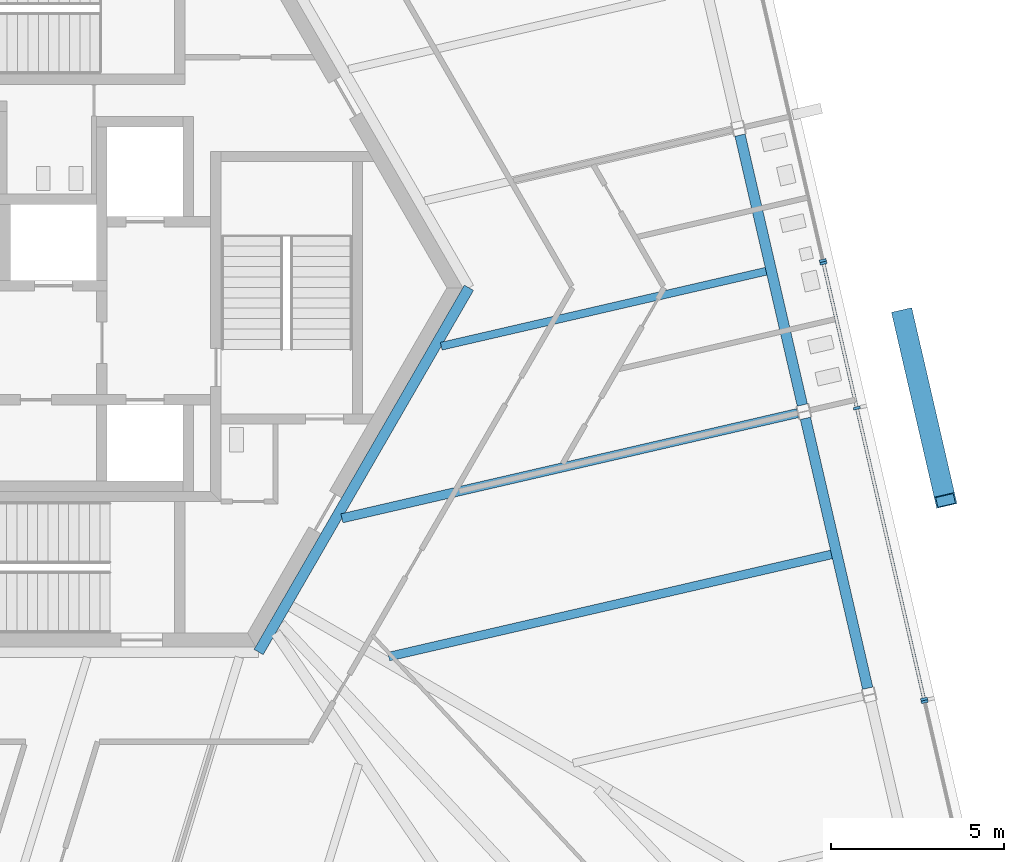
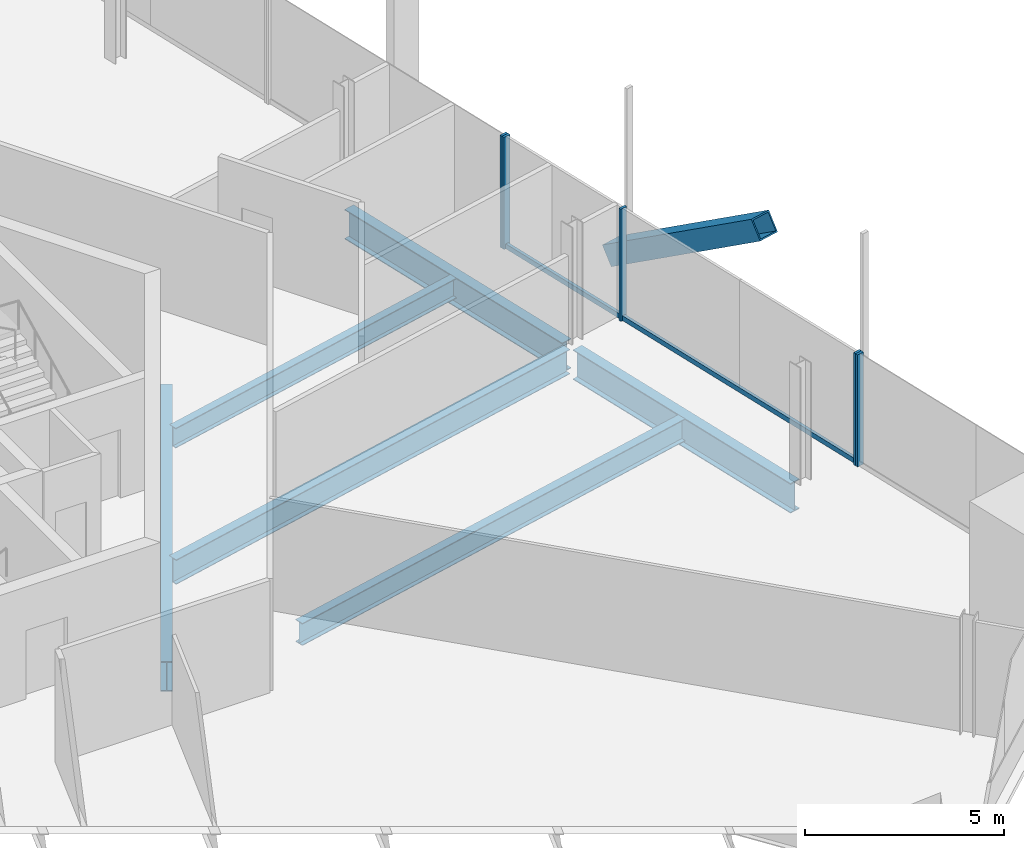
# One storey, part 6 of 21: 8 members, 6 beams, 3 elements without a shape of their own.
"""IFC4 building model written with IfcOpenShell, lengths in metres."""

from ifc_helpers import new_model, si_unit, direction, frame, origin, origin_2d, place, context, subcontext, project, spatial, rectangle, hollow_rectangle, i_section, extrude, source, transform, mapped, material, material_profile, profile_set, type_object, element, aggregate, save


model = new_model("IFC4")

# Units and contexts
model_context = context("Model", 3, precision=1e-05, world=origin(), true_north=direction((0.0, 1.0)))
body_context = subcontext(model_context, "Body", "Model", "MODEL_VIEW")
ifc_project = project(units=[si_unit("LENGTHUNIT", "METRE"), si_unit("AREAUNIT", "SQUARE_METRE"), si_unit("VOLUMEUNIT", "CUBIC_METRE"), si_unit("PLANEANGLEUNIT", "RADIAN"), si_unit("MASSUNIT", "GRAM", prefix="KILO")], contexts=[model_context])

# Site, building, storey
site_placement = place(None, origin())
site = spatial("IfcSite", under=ifc_project, at=site_placement, CompositionType="ELEMENT")
building_placement = place(site_placement, origin())
building = spatial("IfcBuilding", under=site, at=building_placement, Name="Triune Harvest Tower", CompositionType="ELEMENT")
storey_placement = place(building_placement, frame((0.0, 0.0, 119.89990234375)))
storey = spatial("IfcBuildingStorey", under=building, at=storey_placement, Name="L30", CompositionType="ELEMENT", Elevation=119.89990234375)

# Curtain wall, members
ifc_material_1 = material(Name="Aluminium bronze anodised", Category="aluminium")
curtain_wall_type_1 = type_object("IfcCurtainWallType", Name="CW-10 Balcony window wall with insulated spandrel infill", PredefinedType="NOTDEFINED", material=ifc_material_1)
curtain_wall_1_placement = place(storey_placement, origin())
curtain_wall_1 = element("IfcCurtainWall", 1, at=curtain_wall_1_placement, inside=storey, type_object=curtain_wall_type_1, Name="CW-10 B3-F1 L30 run 1001")
ifc_material_2 = material(Name="Aluminium bronze anodised", Category="aluminium")
ifc_material_profile_1 = material_profile(ifc_material_2, rectangle(XDim=0.090087890625, YDim=0.14990234375, at=origin_2d()), Name="TR-6 transom 90 x 150")
ifc_profile_set_1 = profile_set([ifc_material_profile_1], Name="Aluminium bronze anodised")
member_type_1 = type_object("IfcMemberType", Name="TR-6 transom 90 x 150", PredefinedType="USERDEFINED", material=ifc_profile_set_1)
member_1_placement = place(storey_placement, frame((25.34423828125, -11.871337890625, 0.0751953125), z_axis=(-0.22494892863, 0.974370555543, 0.0), x_axis=(-0.974370555543, -0.22494892863, 0.0)))
member_1 = element("IfcMember", 2, at=member_1_placement, type_object=member_type_1, Name="CW-10 transom B3-F1 1001.1", ObjectType="TRANSOM", PredefinedType="USERDEFINED", context=body_context, shape_type="SweptSolid", body=[
    extrude(rectangle(XDim=0.090087890625, YDim=0.14990234375, at=origin_2d()), origin(), (0.0, 0.0, 1.0), 8.573974609375),
])
member_2_placement = place(storey_placement, frame((23.398681640625, -3.44384765625, 0.0751953125), z_axis=(-0.22499436721, 0.974360064208, 0.0), x_axis=(-0.974360064208, -0.22499436721, 0.0)))
member_2 = element("IfcMember", 3, at=member_2_placement, type_object=member_type_1, Name="CW-10 transom B3-F1 1001.2", ObjectType="TRANSOM", PredefinedType="USERDEFINED", context=body_context, shape_type="SweptSolid", body=[
    extrude(rectangle(XDim=0.090087890625, YDim=0.14990234375, at=origin_2d()), origin(), (0.0, 0.0, 1.0), 4.230712890625),
])

# Beams
ifc_material_3 = material(Name="Steel ASTM A992 Gr 50", Category="steel")
ifc_material_profile_2 = material_profile(ifc_material_3, i_section(OverallWidth=0.3046875, OverallDepth=0.914306640625, WebThickness=0.0166015625, FlangeThickness=0.02587890625, at=origin_2d()), Name="W36x160")
ifc_profile_set_2 = profile_set([ifc_material_profile_2], Name="Steel ASTM A992 Gr 50")
beam_type_1 = type_object("IfcBeamType", Name="CG-1 Core ring girder W36x160", PredefinedType="BEAM", material=ifc_profile_set_2)
shared_shape_1 = source(origin(), body_context, "Body", "SweptSolid", [
    extrude(i_section(OverallWidth=0.3046875, OverallDepth=0.914306640625, WebThickness=0.0166015625, FlangeThickness=0.02587890625, at=origin_2d()), origin(), (0.0, 0.0, 1.0), 12.176025390625),
])
beam_1_placement = place(storey_placement, frame((6.087890625, -10.544677734375, -0.6171875), z_axis=(0.5000099932, 0.866019634131, 0.0), x_axis=(-0.866019634131, 0.5000099932, 0.0)))
element("IfcBeam", 4, at=beam_1_placement, inside=storey, type_object=beam_type_1, Name="beam/L30/CG6", PredefinedType="BEAM", context=body_context, shape_type="MappedRepresentation", body=[
    mapped(shared_shape_1, transform((0.0, 0.0, 0.0), scale=1.0)),
])
ifc_material_4 = material(Name="Steel ASTM A992 Gr 50", Category="steel")
ifc_material_profile_3 = material_profile(ifc_material_4, i_section(OverallWidth=0.3046875, OverallDepth=0.914306640625, WebThickness=0.0166015625, FlangeThickness=0.02587890625, at=origin_2d()), Name="W36x160")
ifc_profile_set_3 = profile_set([ifc_material_profile_3], Name="Steel ASTM A992 Gr 50")
beam_type_2 = type_object("IfcBeamType", Name="SB-1 Spandrel beam W36x160", PredefinedType="SPANDREL", material=ifc_profile_set_3)
shared_shape_2 = source(origin(), body_context, "Body", "SweptSolid", [
    extrude(i_section(OverallWidth=0.3046875, OverallDepth=0.914306640625, WebThickness=0.0166015625, FlangeThickness=0.02587890625, at=origin_2d()), origin(), (0.0, 0.0, 1.0), 8.018310546875),
])
beam_2_placement = place(storey_placement, frame((23.72119140625, -11.591796875, -0.6171875), z_axis=(-0.224950679005, 0.974370151439, 0.0), x_axis=(-0.974370151439, -0.224950679005, 0.0)))
element("IfcBeam", 5, at=beam_2_placement, inside=storey, type_object=beam_type_2, Name="beam/L30/SB2", PredefinedType="SPANDREL", context=body_context, shape_type="MappedRepresentation", body=[
    mapped(shared_shape_2, transform((0.0, 0.0, 0.0), scale=1.0)),
])
shared_shape_3 = source(origin(), body_context, "Body", "SweptSolid", [
    extrude(i_section(OverallWidth=0.3046875, OverallDepth=0.914306640625, WebThickness=0.0166015625, FlangeThickness=0.02587890625, at=origin_2d()), origin(), (0.0, 0.0, 1.0), 8.0185546875),
])
beam_3_placement = place(storey_placement, frame((21.828369140625, -3.39306640625, -0.6171875), z_axis=(-0.22494400542, 0.974371692131, 0.0), x_axis=(-0.974371692131, -0.22494400542, 0.0)))
element("IfcBeam", 6, at=beam_3_placement, inside=storey, type_object=beam_type_2, Name="beam/L30/SB3", PredefinedType="SPANDREL", context=body_context, shape_type="MappedRepresentation", body=[
    mapped(shared_shape_3, transform((0.0, 0.0, 0.0), scale=1.0)),
])
ifc_material_5 = material(Name="Steel ASTM A992 Gr 50", Category="steel")
ifc_material_profile_4 = material_profile(ifc_material_5, i_section(OverallWidth=0.253662109375, OverallDepth=0.683349609375, WebThickness=0.012451171875, FlangeThickness=0.01904296875, at=origin_2d()), Name="W27x94")
ifc_profile_set_4 = profile_set([ifc_material_profile_4], Name="Steel ASTM A992 Gr 50")
beam_type_3 = type_object("IfcBeamType", Name="JT-4 Floor joist W27x94", PredefinedType="JOIST", material=ifc_profile_set_4)
shared_shape_4 = source(origin(), body_context, "Body", "SweptSolid", [
    extrude(i_section(OverallWidth=0.253662109375, OverallDepth=0.683349609375, WebThickness=0.012451171875, FlangeThickness=0.01904296875, at=origin_2d()), origin(), (0.0, 0.0, 1.0), 13.1572265625),
])
beam_4_placement = place(storey_placement, frame((22.6708984375, -7.7197265625, -0.50146484375), z_axis=(-0.974370551145, -0.224948947678, 0.0), x_axis=(0.224948947678, -0.974370551145, 0.0)))
element("IfcBeam", 7, at=beam_4_placement, inside=storey, type_object=beam_type_3, Name="beam/L30/JT3", PredefinedType="JOIST", context=body_context, shape_type="MappedRepresentation", body=[
    mapped(shared_shape_4, transform((0.0, 0.0, 0.0), scale=1.0)),
])
ifc_material_6 = material(Name="Steel ASTM A992 Gr 50", Category="steel")
ifc_material_profile_5 = material_profile(ifc_material_6, i_section(OverallWidth=0.2666015625, OverallDepth=0.7568359375, WebThickness=0.013916015625, FlangeThickness=0.019287109375, at=origin_2d()), Name="W30x108")
ifc_profile_set_5 = profile_set([ifc_material_profile_5], Name="Steel ASTM A992 Gr 50")
beam_type_4 = type_object("IfcBeamType", Name="JT-5 Floor joist W30x108", PredefinedType="JOIST", material=ifc_profile_set_5)
shared_shape_5 = source(origin(), body_context, "Body", "SweptSolid", [
    extrude(i_section(OverallWidth=0.2666015625, OverallDepth=0.7568359375, WebThickness=0.013916015625, FlangeThickness=0.019287109375, at=origin_2d()), origin(), (0.0, 0.0, 1.0), 13.535400390625),
])
beam_5_placement = place(storey_placement, frame((21.687255859375, -3.62890625, -0.538330078125), z_axis=(-0.974372040253, -0.224942497482, 0.0), x_axis=(0.224942497482, -0.974372040253, 0.0)))
element("IfcBeam", 8, at=beam_5_placement, inside=storey, type_object=beam_type_4, Name="beam/L30/JT4", PredefinedType="JOIST", context=body_context, shape_type="MappedRepresentation", body=[
    mapped(shared_shape_5, transform((0.0, 0.0, 0.0), scale=1.0)),
])
ifc_material_7 = material(Name="Steel ASTM A992 Gr 50", Category="steel")
ifc_material_profile_6 = material_profile(ifc_material_7, i_section(OverallWidth=0.22900390625, OverallDepth=0.612060546875, WebThickness=0.011962890625, FlangeThickness=0.01953125, at=origin_2d()), Name="W24x84")
ifc_profile_set_6 = profile_set([ifc_material_profile_6], Name="Steel ASTM A992 Gr 50")
beam_type_5 = type_object("IfcBeamType", Name="JT-3 Floor joist W24x84", PredefinedType="JOIST", material=ifc_profile_set_6)
shared_shape_6 = source(origin(), body_context, "Body", "SweptSolid", [
    extrude(i_section(OverallWidth=0.22900390625, OverallDepth=0.612060546875, WebThickness=0.011962890625, FlangeThickness=0.01953125, at=origin_2d()), origin(), (0.0, 0.0, 1.0), 9.650146484375),
])
beam_6_placement = place(storey_placement, frame((20.778076171875, 0.47900390625, -0.466064453125), z_axis=(-0.974373710713, -0.224935261514, 0.0), x_axis=(0.224935261514, -0.974373710713, 0.0)))
element("IfcBeam", 9, at=beam_6_placement, inside=storey, type_object=beam_type_5, Name="beam/L30/JT5", PredefinedType="JOIST", context=body_context, shape_type="MappedRepresentation", body=[
    mapped(shared_shape_6, transform((0.0, 0.0, 0.0), scale=1.0)),
])

# Member
ifc_material_8 = material(Name="Steel ASTM A572 Gr 50", Category="steel")
ifc_material_profile_7 = material_profile(ifc_material_8, hollow_rectangle(XDim=0.60009765625, YDim=0.60009765625, WallThickness=0.0400390625, at=origin_2d()), Name="Box 600x600x40")
ifc_profile_set_7 = profile_set([ifc_material_profile_7], Name="Steel ASTM A572 Gr 50")
member_type_2 = type_object("IfcMemberType", Name="BR-2 Brace Box 600x600x40", PredefinedType="BRACE", material=ifc_profile_set_7)
shared_shape_7 = source(origin(), body_context, "Body", "SweptSolid", [
    extrude(hollow_rectangle(XDim=0.60009765625, YDim=0.60009765625, WallThickness=0.0400390625, at=origin_2d()), origin(), (0.0, 0.0, 1.0), 6.56640625),
])
member_3_placement = place(storey_placement, frame((24.7392578125, -0.80419921875, 0.0), z_axis=(0.188130999407, -0.814874923715, 0.548256861117), x_axis=(0.974369462042, 0.224953665097, 0.0)))
element("IfcMember", 10, at=member_3_placement, inside=storey, type_object=member_type_2, Name="brace/B3-F1/d2/7", PredefinedType="BRACE", context=body_context, shape_type="MappedRepresentation", body=[
    mapped(shared_shape_7, transform((0.0, 0.0, 0.0), scale=1.0)),
])

# Curtain wall, member
ifc_material_9 = material(Name="Aluminium bronze anodised", Category="aluminium")
curtain_wall_type_2 = type_object("IfcCurtainWallType", Name="CW-6 Balcony window wall", PredefinedType="NOTDEFINED", material=ifc_material_9)
curtain_wall_2_placement = place(storey_placement, origin())
curtain_wall_2 = element("IfcCurtainWall", 11, at=curtain_wall_2_placement, inside=storey, type_object=curtain_wall_type_2, Name="CW-6 B3-F1 L30 run 1")
ifc_material_10 = material(Name="Aluminium bronze anodised", Category="aluminium")
ifc_material_profile_8 = material_profile(ifc_material_10, rectangle(XDim=0.199951171875, YDim=0.074951171875, at=origin_2d()), Name="MU-6 mullion 75 x 200")
ifc_profile_set_8 = profile_set([ifc_material_profile_8], Name="Aluminium bronze anodised")
member_type_3 = type_object("IfcMemberType", Name="MU-6 mullion 75 x 200", PredefinedType="MULLION", material=ifc_profile_set_8)
shared_shape_8 = source(origin(), body_context, "Body", "SweptSolid", [
    extrude(rectangle(XDim=0.199951171875, YDim=0.074951171875, at=origin_2d()), origin(), (0.0, 0.0, 1.0), 3.440185546875),
])
member_4_placement = place(storey_placement, frame((25.36962890625, -11.98095703125, 0.0), z_axis=(0.0, 0.0, 1.0), x_axis=(-0.974371039051, -0.224946834294, 0.0)))
member_4 = element("IfcMember", 12, at=member_4_placement, type_object=member_type_3, Name="CW-6 mullion B3-F1 1.3", PredefinedType="MULLION", context=body_context, shape_type="MappedRepresentation", body=[
    mapped(shared_shape_8, transform((0.0, 0.0, 0.0), scale=1.0)),
])
aggregate(curtain_wall_2, [member_4])

# Member
member_5_placement = place(storey_placement, frame((25.352783203125, -11.907958984375, 0.0), z_axis=(0.0, 0.0, 1.0), x_axis=(-0.974368425566, -0.224958154465, 0.0)))
member_5 = element("IfcMember", 13, at=member_5_placement, type_object=member_type_3, Name="CW-10 mullion B3-F1 1001.1", PredefinedType="MULLION", context=body_context, shape_type="MappedRepresentation", body=[
    mapped(shared_shape_8, transform((0.0, 0.0, 0.0), scale=1.0)),
])

member_6_placement = place(storey_placement, frame((23.406982421875, -3.48046875, 0.0), z_axis=(0.0, 0.0, 1.0), x_axis=(-0.974368425566, -0.224958154465, 0.0)))
member_6 = element("IfcMember", 14, at=member_6_placement, type_object=member_type_3, Name="CW-10 mullion B3-F1 1001.3", PredefinedType="MULLION", context=body_context, shape_type="MappedRepresentation", body=[
    mapped(shared_shape_8, transform((0.0, 0.0, 0.0), scale=1.0)),
])

member_7_placement = place(storey_placement, frame((22.4384765625, 0.71484375, 0.0), z_axis=(0.0, 0.0, 1.0), x_axis=(-0.974368425566, -0.224958154465, 0.0)))
member_7 = element("IfcMember", 15, at=member_7_placement, type_object=member_type_3, Name="CW-10 mullion B3-F1 1001.4", PredefinedType="MULLION", context=body_context, shape_type="MappedRepresentation", body=[
    mapped(shared_shape_8, transform((0.0, 0.0, 0.0), scale=1.0)),
])

aggregate(curtain_wall_1, [member_5, member_6, member_7, member_1, member_2])

# Curtain wall, member
curtain_wall_3_placement = place(storey_placement, origin())
curtain_wall_3 = element("IfcCurtainWall", 16, at=curtain_wall_3_placement, inside=storey, type_object=curtain_wall_type_2, Name="CW-6 B3-F1 L30 run 2001")
member_8_placement = place(storey_placement, frame((22.421630859375, 0.7880859375, 0.0), z_axis=(0.0, 0.0, 1.0), x_axis=(-0.974372372387, -0.224941058787, 0.0)))
member_8 = element("IfcMember", 17, at=member_8_placement, type_object=member_type_3, Name="CW-6 mullion B3-F1 2001.1", PredefinedType="MULLION", context=body_context, shape_type="MappedRepresentation", body=[
    mapped(shared_shape_8, transform((0.0, 0.0, 0.0), scale=1.0)),
])
aggregate(curtain_wall_3, [member_8])

save(model, "model.ifc")
